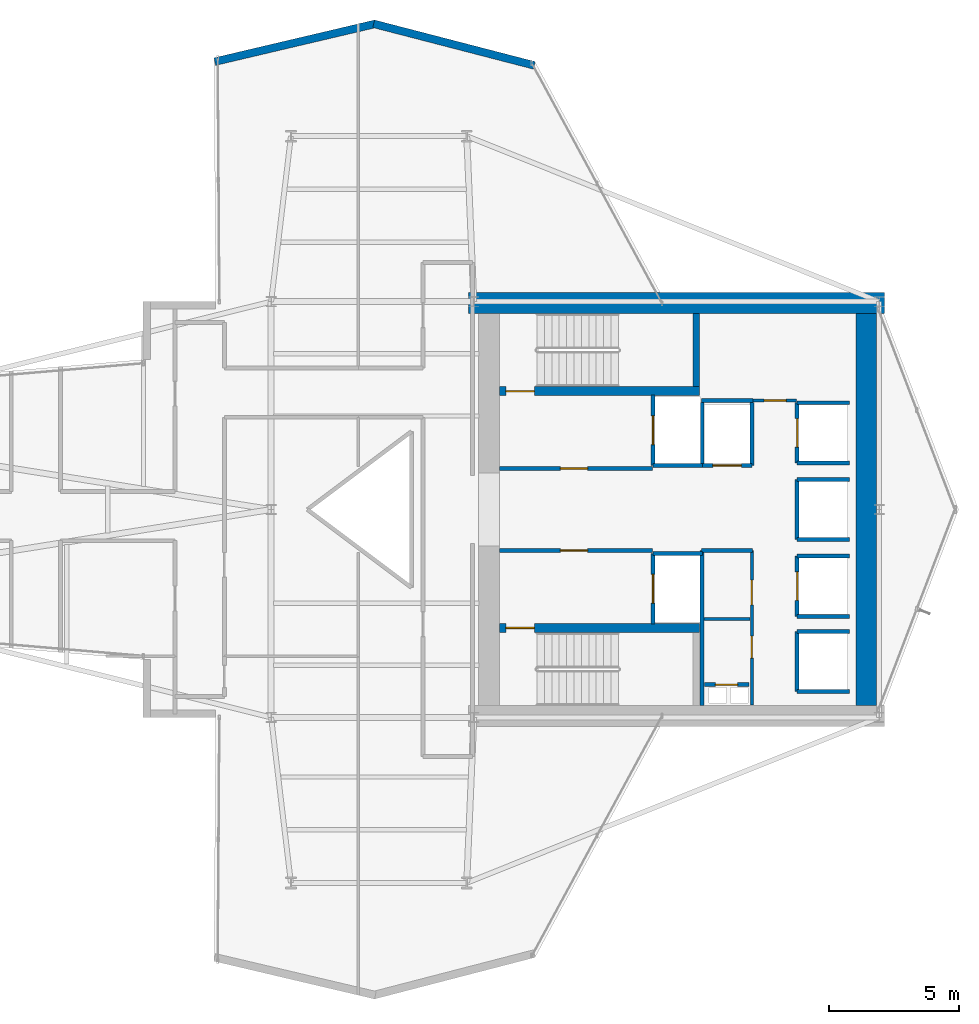
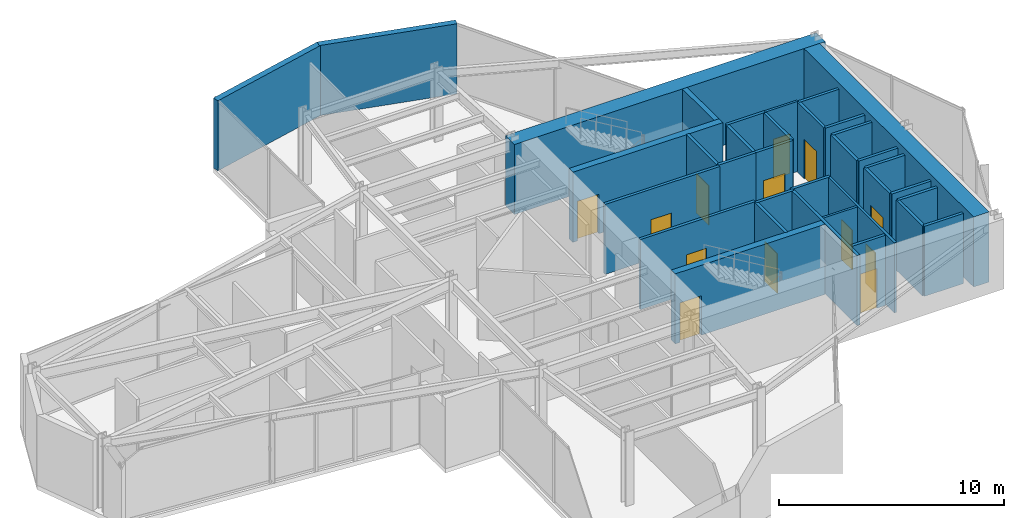
# One storey, part 24 of 26: 35 walls, 13 doors, 13 openings.
"""IFC4 building model written with IfcOpenShell, lengths in metres."""

from ifc_helpers import new_model, si_unit, direction, frame, frame_2d, origin, place, context, subcontext, project, spatial, rectangle, extrude, material, layer, layer_set, type_object, element, fill, save


model = new_model("IFC4")

# Units and contexts
model_context = context("Model", 3, precision=1e-05, world=origin(), true_north=direction((0.0, 1.0)))
body_context = subcontext(model_context, "Body", "Model", "MODEL_VIEW")
ifc_project = project(units=[si_unit("LENGTHUNIT", "METRE"), si_unit("AREAUNIT", "SQUARE_METRE"), si_unit("VOLUMEUNIT", "CUBIC_METRE"), si_unit("PLANEANGLEUNIT", "RADIAN"), si_unit("MASSUNIT", "GRAM", prefix="KILO")], contexts=[model_context])

# Site, building, storey
site_placement = place(None, origin())
site = spatial("IfcSite", under=ifc_project, at=site_placement, CompositionType="ELEMENT")
building_placement = place(site_placement, origin())
building = spatial("IfcBuilding", under=site, at=building_placement, Name="Veymaron Broadcast Tower", CompositionType="ELEMENT")
storey_placement = place(building_placement, frame((0.0, 0.0, 153.300048828125)))
storey = spatial("IfcBuildingStorey", under=building, at=storey_placement, Name="L35", CompositionType="ELEMENT", Elevation=153.300048828125)

# Walls
ifc_material_1 = material(Name="Precast concrete C40/50 with mineral-wool insulation", Category="concrete")
ifc_layer_1 = layer(ifc_material_1, 0.300048828125)
ifc_layer_set_1 = layer_set([ifc_layer_1], Name="Precast concrete C40/50 with mineral-wool insulation")
wall_type_1 = type_object("IfcWallType", Name="WALL-EXT-300", PredefinedType="STANDARD", material=ifc_layer_set_1)
wall_1_placement = place(storey_placement, frame((41.325439453125, 41.091796875, 0.0), z_axis=(0.0, 0.0, 1.0), x_axis=(-0.96801891639, 0.250877216005, 0.0)))
element("IfcWall", 1, at=wall_1_placement, inside=storey, type_object=wall_type_1, Name="L35 notched corner facade pier 6-1", PredefinedType="STANDARD", context=body_context, shape_type="SweptSolid", body=[
    extrude(rectangle(XDim=6.3837890625, YDim=0.300048828125, at=frame_2d((3.19189453125, 0.0))), origin(), (0.0, 0.0, 1.0), 3.81005859375),
])
wall_2_placement = place(storey_placement, frame((35.212890625, 42.6923828125, 0.0), z_axis=(0.0, 0.0, 1.0), x_axis=(-0.973355101444, -0.229302957882, 0.0)))
element("IfcWall", 2, at=wall_2_placement, inside=storey, type_object=wall_type_1, Name="L35 notched corner facade pier 7-1", PredefinedType="STANDARD", context=body_context, shape_type="SweptSolid", body=[
    extrude(rectangle(XDim=6.348876953125, YDim=0.300048828125, at=frame_2d((3.17431640625, 0.0))), origin(), (0.0, 0.0, 1.0), 3.81005859375),
])

# Wall, opening, door
ifc_material_2 = material(Name="Gypsum fireboard and steel stud framing", Category="steel")
ifc_layer_2 = layer(ifc_material_2, 0.14990234375)
ifc_layer_set_2 = layer_set([ifc_layer_2], Name="Gypsum fireboard and steel stud framing")
wall_type_2 = type_object("IfcWallType", Name="WALL-FIRE-150", PredefinedType="PARTITIONING", material=ifc_layer_set_2)
wall_3_placement = place(storey_placement, frame((39.97998046875, 25.574951171875, 0.0), z_axis=(0.0, 0.0, 1.0), x_axis=(1.0, 0.0, 0.0)))
wall_3 = element("IfcWall", 3, at=wall_3_placement, inside=storey, type_object=wall_type_2, Name="L35 partition IW-L35-FFLN-S", PredefinedType="PARTITIONING", context=body_context, shape_type="SweptSolid", body=[
    extrude(rectangle(XDim=5.89990234375, YDim=0.14990234375, at=frame_2d((2.949951171875, 0.0))), origin(), (0.0, 0.0, 1.0), 3.81005859375),
])
opening_1_placement = place(wall_3_placement, frame((2.35009765625, 0.0, 0.0)))
opening_1 = element("IfcOpeningElement", 4, at=opening_1_placement, cuts=wall_3, Name="Opening ID-FL1", PredefinedType="OPENING", context=body_context, shape_type="SweptSolid", body=[
    extrude(rectangle(XDim=1.050048828125, YDim=2.14990234375, at=frame_2d((0.52490234375, 1.074951171875))), frame((0.0, 0.0849609375, 0.0), z_axis=(0.0, -1.0, 0.0), x_axis=(1.0, 0.0, 0.0)), (0.0, 0.0, 1.0), 0.169921875),
])
ifc_material_3 = material(Name="Fire-rated painted hollow steel ASTM A653", Category="steel")
door_type_1 = type_object("IfcDoorType", Name="DOOR-FIRE-1050", OperationType="NOTDEFINED", PredefinedType="DOOR", material=ifc_material_3)
door_1_placement = place(opening_1_placement, origin())
door_1 = element("IfcDoor", 5, at=door_1_placement, inside=storey, type_object=door_type_1, Name="L35 door DR-L35-FFLN", OperationType="SINGLE_SWING_LEFT", OverallHeight=2.14990234375, OverallWidth=1.050048828125, PredefinedType="DOOR", context=body_context, shape_type="SweptSolid", body=[
    extrude(rectangle(XDim=1.050048828125, YDim=2.14990234375, at=frame_2d((0.52490234375, 1.074951171875))), frame((0.0, 0.02490234375, 0.0), z_axis=(0.0, -1.0, 0.0), x_axis=(1.0, 0.0, 0.0)), (0.0, 0.0, 1.0), 0.050048828125),
])
fill(opening_1, door_1)

wall_4_placement = place(storey_placement, frame((39.97998046875, 22.425048828125, 0.0), z_axis=(0.0, 0.0, 1.0), x_axis=(1.0, 0.0, 0.0)))
wall_4 = element("IfcWall", 6, at=wall_4_placement, inside=storey, type_object=wall_type_2, Name="L35 partition IW-L35-FFLS-N", PredefinedType="PARTITIONING", context=body_context, shape_type="SweptSolid", body=[
    extrude(rectangle(XDim=5.89990234375, YDim=0.14990234375, at=frame_2d((2.949951171875, 0.0))), origin(), (0.0, 0.0, 1.0), 3.81005859375),
])
opening_2_placement = place(wall_4_placement, frame((2.35009765625, 0.0, 0.0)))
opening_2 = element("IfcOpeningElement", 7, at=opening_2_placement, cuts=wall_4, Name="Opening ID-FL1", PredefinedType="OPENING", context=body_context, shape_type="SweptSolid", body=[
    extrude(rectangle(XDim=1.050048828125, YDim=2.14990234375, at=frame_2d((0.52490234375, 1.074951171875))), frame((0.0, 0.0849609375, 0.0), z_axis=(0.0, -1.0, 0.0), x_axis=(1.0, 0.0, 0.0)), (0.0, 0.0, 1.0), 0.169921875),
])
door_2_placement = place(opening_2_placement, frame((1.050048828125, 0.0, 0.0), z_axis=(0.0, 0.0, 1.0), x_axis=(-1.0, 0.0, 0.0)))
door_2 = element("IfcDoor", 8, at=door_2_placement, inside=storey, type_object=door_type_1, Name="L35 door DR-L35-FFLS", OperationType="SINGLE_SWING_RIGHT", OverallHeight=2.14990234375, OverallWidth=1.050048828125, PredefinedType="DOOR", context=body_context, shape_type="SweptSolid", body=[
    extrude(rectangle(XDim=1.050048828125, YDim=2.14990234375, at=frame_2d((0.52490234375, 1.074951171875))), frame((0.0, 0.02490234375, 0.0), z_axis=(0.0, -1.0, 0.0), x_axis=(1.0, 0.0, 0.0)), (0.0, 0.0, 1.0), 0.050048828125),
])
fill(opening_2, door_2)

wall_5_placement = place(storey_placement, frame((45.89501953125, 25.68994140625, 0.0), z_axis=(0.0, 0.0, 1.0), x_axis=(0.0, 1.0, 0.0)))
wall_5 = element("IfcWall", 9, at=wall_5_placement, inside=storey, type_object=wall_type_2, Name="L35 partition IW-L35-SHW-FFL-1", PredefinedType="PARTITIONING", context=body_context, shape_type="SweptSolid", body=[
    extrude(rectangle(XDim=2.719970703125, YDim=0.14990234375, at=frame_2d((1.35986328125, 0.0))), origin(), (0.0, 0.0, 1.0), 3.81005859375),
])
opening_3_placement = place(wall_5_placement, frame((0.81005859375, 0.0, 0.0)))
opening_3 = element("IfcOpeningElement", 10, at=opening_3_placement, cuts=wall_5, Name="Opening LD", PredefinedType="OPENING", context=body_context, shape_type="SweptSolid", body=[
    extrude(rectangle(XDim=1.10009765625, YDim=2.14990234375, at=frame_2d((0.550048828125, 1.074951171875))), frame((0.0, 0.0849609375, 0.0), z_axis=(0.0, -1.0, 0.0), x_axis=(1.0, 0.0, 0.0)), (0.0, 0.0, 1.0), 0.169921875),
])
ifc_material_4 = material(Name="Brushed stainless steel AISI 304", Category="steel")
door_type_2 = type_object("IfcDoorType", Name="DOOR-LIFT-1100", OperationType="DOUBLE_DOOR_SLIDING", PredefinedType="DOOR", material=ifc_material_4)
door_3_placement = place(opening_3_placement, frame((1.10009765625, 0.0, 0.0), z_axis=(0.0, 0.0, 1.0), x_axis=(-1.0, 0.0, 0.0)))
door_3 = element("IfcDoor", 11, at=door_3_placement, inside=storey, type_object=door_type_2, Name="L35 door LD-L35-FFL-1", OperationType="DOUBLE_DOOR_SLIDING", OverallHeight=2.14990234375, OverallWidth=1.10009765625, PredefinedType="DOOR", context=body_context, shape_type="SweptSolid", body=[
    extrude(rectangle(XDim=1.10009765625, YDim=2.14990234375, at=frame_2d((0.550048828125, 1.074951171875))), frame((0.0, 0.02490234375, 0.0), z_axis=(0.0, -1.0, 0.0), x_axis=(1.0, 0.0, 0.0)), (0.0, 0.0, 1.0), 0.050048828125),
])
fill(opening_3, door_3)

# Wall
wall_6_placement = place(storey_placement, frame((45.89501953125, 25.68994140625, 0.0), z_axis=(0.0, 0.0, 1.0), x_axis=(1.0, 0.0, 0.0)))
element("IfcWall", 12, at=wall_6_placement, inside=storey, type_object=wall_type_2, Name="L35 partition IW-L35-SHS-FFL-1", PredefinedType="PARTITIONING", context=body_context, shape_type="SweptSolid", body=[
    extrude(rectangle(XDim=1.9150390625, YDim=0.14990234375, at=frame_2d((0.95751953125, 0.0))), origin(), (0.0, 0.0, 1.0), 3.81005859375),
])

# Wall, opening, door
wall_7_placement = place(storey_placement, frame((45.89501953125, 19.590087890625, 0.0), z_axis=(0.0, 0.0, 1.0), x_axis=(0.0, 1.0, 0.0)))
wall_7 = element("IfcWall", 13, at=wall_7_placement, inside=storey, type_object=wall_type_2, Name="L35 partition IW-L35-SHW-FFL-2", PredefinedType="PARTITIONING", context=body_context, shape_type="SweptSolid", body=[
    extrude(rectangle(XDim=2.719970703125, YDim=0.14990234375, at=frame_2d((1.35986328125, 0.0))), origin(), (0.0, 0.0, 1.0), 3.81005859375),
])
opening_4_placement = place(wall_7_placement, frame((0.81005859375, 0.0, 0.0)))
opening_4 = element("IfcOpeningElement", 14, at=opening_4_placement, cuts=wall_7, Name="Opening LD", PredefinedType="OPENING", context=body_context, shape_type="SweptSolid", body=[
    extrude(rectangle(XDim=1.10009765625, YDim=2.14990234375, at=frame_2d((0.550048828125, 1.074951171875))), frame((0.0, 0.0849609375, 0.0), z_axis=(0.0, -1.0, 0.0), x_axis=(1.0, 0.0, 0.0)), (0.0, 0.0, 1.0), 0.169921875),
])
door_4_placement = place(opening_4_placement, frame((1.10009765625, 0.0, 0.0), z_axis=(0.0, 0.0, 1.0), x_axis=(-1.0, 0.0, 0.0)))
door_4 = element("IfcDoor", 15, at=door_4_placement, inside=storey, type_object=door_type_2, Name="L35 door LD-L35-FFL-2", OperationType="DOUBLE_DOOR_SLIDING", OverallHeight=2.14990234375, OverallWidth=1.10009765625, PredefinedType="DOOR", context=body_context, shape_type="SweptSolid", body=[
    extrude(rectangle(XDim=1.10009765625, YDim=2.14990234375, at=frame_2d((0.550048828125, 1.074951171875))), frame((0.0, 0.02490234375, 0.0), z_axis=(0.0, -1.0, 0.0), x_axis=(1.0, 0.0, 0.0)), (0.0, 0.0, 1.0), 0.050048828125),
])
fill(opening_4, door_4)

# Wall
wall_8_placement = place(storey_placement, frame((45.89501953125, 22.31005859375, 0.0), z_axis=(0.0, 0.0, 1.0), x_axis=(1.0, 0.0, 0.0)))
element("IfcWall", 16, at=wall_8_placement, inside=storey, type_object=wall_type_2, Name="L35 partition IW-L35-SHN-FFL-2", PredefinedType="PARTITIONING", context=body_context, shape_type="SweptSolid", body=[
    extrude(rectangle(XDim=1.9150390625, YDim=0.14990234375, at=frame_2d((0.95751953125, 0.0))), origin(), (0.0, 0.0, 1.0), 3.81005859375),
])

# Wall, opening, door
wall_9_placement = place(storey_placement, frame((47.7900390625, 25.695068359375, 0.0), z_axis=(0.0, 0.0, 1.0), x_axis=(1.0, 0.0, 0.0)))
wall_9 = element("IfcWall", 17, at=wall_9_placement, inside=storey, type_object=wall_type_2, Name="L35 partition IW-L35-SHS-SL-1", PredefinedType="PARTITIONING", context=body_context, shape_type="SweptSolid", body=[
    extrude(rectangle(XDim=1.919921875, YDim=0.14990234375, at=frame_2d((0.9599609375, 0.0))), origin(), (0.0, 0.0, 1.0), 3.81005859375),
])
opening_5_placement = place(wall_9_placement, frame((0.409912109375, 0.0, 0.0)))
opening_5 = element("IfcOpeningElement", 18, at=opening_5_placement, cuts=wall_9, Name="Opening LD", PredefinedType="OPENING", context=body_context, shape_type="SweptSolid", body=[
    extrude(rectangle(XDim=1.10009765625, YDim=2.14990234375, at=frame_2d((0.550048828125, 1.074951171875))), frame((0.0, 0.0849609375, 0.0), z_axis=(0.0, -1.0, 0.0), x_axis=(1.0, 0.0, 0.0)), (0.0, 0.0, 1.0), 0.169921875),
])
door_5_placement = place(opening_5_placement, frame((1.10009765625, 0.0, 0.0), z_axis=(0.0, 0.0, 1.0), x_axis=(-1.0, 0.0, 0.0)))
door_5 = element("IfcDoor", 19, at=door_5_placement, inside=storey, type_object=door_type_2, Name="L35 door LD-L35-SL-1", OperationType="DOUBLE_DOOR_SLIDING", OverallHeight=2.14990234375, OverallWidth=1.10009765625, PredefinedType="DOOR", context=body_context, shape_type="SweptSolid", body=[
    extrude(rectangle(XDim=1.10009765625, YDim=2.14990234375, at=frame_2d((0.550048828125, 1.074951171875))), frame((0.0, 0.02490234375, 0.0), z_axis=(0.0, -1.0, 0.0), x_axis=(1.0, 0.0, 0.0)), (0.0, 0.0, 1.0), 0.050048828125),
])
fill(opening_5, door_5)

# Walls
for number, where, z_axis, x_axis, name in (
    (20, (47.7900390625, 25.695068359375, 0.0), (0.0, 0.0, 1.0), (0.0, 1.0, 0.0), "L35 partition IW-L35-SHW-SL-1"),
    (21, (49.7099609375, 25.695068359375, 0.0), (0.0, 0.0, 1.0), (0.0, 1.0, 0.0), "L35 partition IW-L35-SHE-SL-1"),
):
    element("IfcWall", number, at=place(storey_placement, frame(where, z_axis=z_axis, x_axis=x_axis)), inside=storey, type_object=wall_type_2, Name=name, PredefinedType="PARTITIONING", context=body_context, shape_type="SweptSolid", body=[
        extrude(rectangle(XDim=2.4150390625, YDim=0.14990234375, at=frame_2d((1.20751953125, 0.0))), origin(), (0.0, 0.0, 1.0), 3.81005859375),
    ])

# Wall, opening, door
wall_10_placement = place(storey_placement, frame((51.445068359375, 25.7900390625, 0.0), z_axis=(0.0, 0.0, 1.0), x_axis=(0.0, 1.0, 0.0)))
wall_10 = element("IfcWall", 22, at=wall_10_placement, inside=storey, type_object=wall_type_2, Name="L35 partition IW-L35-SHW-PM1", PredefinedType="PARTITIONING", context=body_context, shape_type="SweptSolid", body=[
    extrude(rectangle(XDim=2.320068359375, YDim=0.14990234375, at=frame_2d((1.16015625, 0.0))), origin(), (0.0, 0.0, 1.0), 3.81005859375),
])
opening_6_placement = place(wall_10_placement, frame((0.610107421875, 0.0, 0.0)))
opening_6 = element("IfcOpeningElement", 23, at=opening_6_placement, cuts=wall_10, Name="Opening LD", PredefinedType="OPENING", context=body_context, shape_type="SweptSolid", body=[
    extrude(rectangle(XDim=1.10009765625, YDim=2.14990234375, at=frame_2d((0.550048828125, 1.074951171875))), frame((0.0, 0.0849609375, 0.0), z_axis=(0.0, -1.0, 0.0), x_axis=(1.0, 0.0, 0.0)), (0.0, 0.0, 1.0), 0.169921875),
])
door_6_placement = place(opening_6_placement, frame((1.10009765625, 0.0, 0.0), z_axis=(0.0, 0.0, 1.0), x_axis=(-1.0, 0.0, 0.0)))
door_6 = element("IfcDoor", 24, at=door_6_placement, inside=storey, type_object=door_type_2, Name="L35 door LD-L35-PM1", OperationType="DOUBLE_DOOR_SLIDING", OverallHeight=2.14990234375, OverallWidth=1.10009765625, PredefinedType="DOOR", context=body_context, shape_type="SweptSolid", body=[
    extrude(rectangle(XDim=1.10009765625, YDim=2.14990234375, at=frame_2d((0.550048828125, 1.074951171875))), frame((0.0, 0.02490234375, 0.0), z_axis=(0.0, -1.0, 0.0), x_axis=(1.0, 0.0, 0.0)), (0.0, 0.0, 1.0), 0.050048828125),
])
fill(opening_6, door_6)

# Walls
for number, where, z_axis, x_axis, name in (
    (25, (51.445068359375, 25.7900390625, 0.0), (0.0, 0.0, 1.0), (1.0, 0.0, 0.0), "L35 partition IW-L35-SHS-PM1"),
    (26, (51.445068359375, 28.110107421875, 0.0), (0.0, 0.0, 1.0), (1.0, 0.0, 0.0), "L35 partition IW-L35-SHN-PM1"),
):
    element("IfcWall", number, at=place(storey_placement, frame(where, z_axis=z_axis, x_axis=x_axis)), inside=storey, type_object=wall_type_2, Name=name, PredefinedType="PARTITIONING", context=body_context, shape_type="SweptSolid", body=[
        extrude(rectangle(XDim=2.014892578125, YDim=0.14990234375, at=frame_2d((1.00732421875, 0.0))), origin(), (0.0, 0.0, 1.0), 3.81005859375),
    ])

# Wall, opening, door
wall_11_placement = place(storey_placement, frame((51.445068359375, 19.889892578125, 0.0), z_axis=(0.0, 0.0, 1.0), x_axis=(0.0, 1.0, 0.0)))
wall_11 = element("IfcWall", 27, at=wall_11_placement, inside=storey, type_object=wall_type_2, Name="L35 partition IW-L35-SHW-PM2", PredefinedType="PARTITIONING", context=body_context, shape_type="SweptSolid", body=[
    extrude(rectangle(XDim=2.320068359375, YDim=0.14990234375, at=frame_2d((1.16015625, 0.0))), origin(), (0.0, 0.0, 1.0), 3.81005859375),
])
opening_7_placement = place(wall_11_placement, frame((0.610107421875, 0.0, 0.0)))
opening_7 = element("IfcOpeningElement", 28, at=opening_7_placement, cuts=wall_11, Name="Opening LD", PredefinedType="OPENING", context=body_context, shape_type="SweptSolid", body=[
    extrude(rectangle(XDim=1.10009765625, YDim=2.14990234375, at=frame_2d((0.550048828125, 1.074951171875))), frame((0.0, 0.0849609375, 0.0), z_axis=(0.0, -1.0, 0.0), x_axis=(1.0, 0.0, 0.0)), (0.0, 0.0, 1.0), 0.169921875),
])
door_7_placement = place(opening_7_placement, frame((1.10009765625, 0.0, 0.0), z_axis=(0.0, 0.0, 1.0), x_axis=(-1.0, 0.0, 0.0)))
door_7 = element("IfcDoor", 29, at=door_7_placement, inside=storey, type_object=door_type_2, Name="L35 door LD-L35-PM2", OperationType="DOUBLE_DOOR_SLIDING", OverallHeight=2.14990234375, OverallWidth=1.10009765625, PredefinedType="DOOR", context=body_context, shape_type="SweptSolid", body=[
    extrude(rectangle(XDim=1.10009765625, YDim=2.14990234375, at=frame_2d((0.550048828125, 1.074951171875))), frame((0.0, 0.02490234375, 0.0), z_axis=(0.0, -1.0, 0.0), x_axis=(1.0, 0.0, 0.0)), (0.0, 0.0, 1.0), 0.050048828125),
])
fill(opening_7, door_7)

# Walls
for number, where, z_axis, x_axis, name in (
    (30, (51.445068359375, 19.889892578125, 0.0), (0.0, 0.0, 1.0), (1.0, 0.0, 0.0), "L35 partition IW-L35-SHS-PM2"),
    (31, (51.445068359375, 22.2099609375, 0.0), (0.0, 0.0, 1.0), (1.0, 0.0, 0.0), "L35 partition IW-L35-SHN-PM2"),
):
    element("IfcWall", number, at=place(storey_placement, frame(where, z_axis=z_axis, x_axis=x_axis)), inside=storey, type_object=wall_type_2, Name=name, PredefinedType="PARTITIONING", context=body_context, shape_type="SweptSolid", body=[
        extrude(rectangle(XDim=2.014892578125, YDim=0.14990234375, at=frame_2d((1.00732421875, 0.0))), origin(), (0.0, 0.0, 1.0), 3.81005859375),
    ])
wall_12_placement = place(storey_placement, frame((51.445068359375, 22.840087890625, 0.0), z_axis=(0.0, 0.0, 1.0), x_axis=(0.0, 1.0, 0.0)))
element("IfcWall", 32, at=wall_12_placement, inside=storey, type_object=wall_type_2, Name="L35 partition IW-L35-SHW-PM3", PredefinedType="PARTITIONING", context=body_context, shape_type="SweptSolid", body=[
    extrude(rectangle(XDim=2.31982421875, YDim=0.14990234375, at=frame_2d((1.159912109375, 0.0))), origin(), (0.0, 0.0, 1.0), 3.81005859375),
])
for number, where, z_axis, x_axis, name in (
    (33, (51.445068359375, 22.840087890625, 0.0), (0.0, 0.0, 1.0), (1.0, 0.0, 0.0), "L35 partition IW-L35-SHS-PM3"),
    (34, (51.445068359375, 25.159912109375, 0.0), (0.0, 0.0, 1.0), (1.0, 0.0, 0.0), "L35 partition IW-L35-SHN-PM3"),
):
    element("IfcWall", number, at=place(storey_placement, frame(where, z_axis=z_axis, x_axis=x_axis)), inside=storey, type_object=wall_type_2, Name=name, PredefinedType="PARTITIONING", context=body_context, shape_type="SweptSolid", body=[
        extrude(rectangle(XDim=2.014892578125, YDim=0.14990234375, at=frame_2d((1.00732421875, 0.0))), origin(), (0.0, 0.0, 1.0), 3.81005859375),
    ])
wall_13_placement = place(storey_placement, frame((51.445068359375, 16.989990234375, 0.0), z_axis=(0.0, 0.0, 1.0), x_axis=(0.0, 1.0, 0.0)))
element("IfcWall", 35, at=wall_13_placement, inside=storey, type_object=wall_type_2, Name="L35 partition IW-L35-SHW-PH1", PredefinedType="PARTITIONING", context=body_context, shape_type="SweptSolid", body=[
    extrude(rectangle(XDim=2.320068359375, YDim=0.14990234375, at=frame_2d((1.16015625, 0.0))), origin(), (0.0, 0.0, 1.0), 3.81005859375),
])
for number, where, z_axis, x_axis, name in (
    (36, (51.445068359375, 16.989990234375, 0.0), (0.0, 0.0, 1.0), (1.0, 0.0, 0.0), "L35 partition IW-L35-SHS-PH1"),
    (37, (51.445068359375, 19.31005859375, 0.0), (0.0, 0.0, 1.0), (1.0, 0.0, 0.0), "L35 partition IW-L35-SHN-PH1"),
):
    element("IfcWall", number, at=place(storey_placement, frame(where, z_axis=z_axis, x_axis=x_axis)), inside=storey, type_object=wall_type_2, Name=name, PredefinedType="PARTITIONING", context=body_context, shape_type="SweptSolid", body=[
        extrude(rectangle(XDim=2.014892578125, YDim=0.14990234375, at=frame_2d((1.00732421875, 0.0))), origin(), (0.0, 0.0, 1.0), 3.81005859375),
    ])

# Wall, opening, door
wall_14_placement = place(storey_placement, frame((47.8798828125, 17.260009765625, 0.0), z_axis=(0.0, 0.0, 1.0), x_axis=(1.0, 0.0, 0.0)))
wall_14 = element("IfcWall", 38, at=wall_14_placement, inside=storey, type_object=wall_type_2, Name="L35 partition IW-L35-RIS-N", PredefinedType="PARTITIONING", context=body_context, shape_type="SweptSolid", body=[
    extrude(rectangle(XDim=1.72021484375, YDim=0.14990234375, at=frame_2d((0.860107421875, 0.0))), origin(), (0.0, 0.0, 1.0), 3.81005859375),
])
opening_8_placement = place(wall_14_placement, frame((0.419921875, 0.0, 0.0)))
opening_8 = element("IfcOpeningElement", 39, at=opening_8_placement, cuts=wall_14, Name="Opening ID-RS1", PredefinedType="OPENING", context=body_context, shape_type="SweptSolid", body=[
    extrude(rectangle(XDim=0.85009765625, YDim=2.14990234375, at=frame_2d((0.425048828125, 1.074951171875))), frame((0.0, 0.0849609375, 0.0), z_axis=(0.0, -1.0, 0.0), x_axis=(1.0, 0.0, 0.0)), (0.0, 0.0, 1.0), 0.169921875),
])
ifc_material_5 = material(Name="Fire-rated powder-coated steel riser leaf", Category="steel")
door_type_3 = type_object("IfcDoorType", Name="DOOR-RIS-850", OperationType="NOTDEFINED", PredefinedType="TRAPDOOR", material=ifc_material_5)
door_8_placement = place(opening_8_placement, origin())
door_8 = element("IfcDoor", 40, at=door_8_placement, inside=storey, type_object=door_type_3, Name="L35 door DR-L35-RIS", OperationType="SINGLE_SWING_LEFT", OverallHeight=2.14990234375, OverallWidth=0.85009765625, PredefinedType="TRAPDOOR", context=body_context, shape_type="SweptSolid", body=[
    extrude(rectangle(XDim=0.85009765625, YDim=2.14990234375, at=frame_2d((0.425048828125, 1.074951171875))), frame((0.0, 0.02490234375, 0.0), z_axis=(0.0, -1.0, 0.0), x_axis=(1.0, 0.0, 0.0)), (0.0, 0.0, 1.0), 0.050048828125),
])
fill(opening_8, door_8)

# Walls
wall_15_placement = place(storey_placement, frame((47.760009765625, 22.425048828125, 0.0), z_axis=(0.0, 0.0, 1.0), x_axis=(1.0, 0.0, 0.0)))
element("IfcWall", 41, at=wall_15_placement, inside=storey, type_object=wall_type_2, Name="L35 partition IW-L35-SM-N", PredefinedType="PARTITIONING", context=body_context, shape_type="SweptSolid", body=[
    extrude(rectangle(XDim=1.9599609375, YDim=0.14990234375, at=frame_2d((0.97998046875, 0.0))), origin(), (0.0, 0.0, 1.0), 3.81005859375),
])
wall_16_placement = place(storey_placement, frame((47.780029296875, 16.449951171875, 0.0), z_axis=(0.0, 0.0, 1.0), x_axis=(0.0, 1.0, 0.0)))
element("IfcWall", 42, at=wall_16_placement, inside=storey, type_object=wall_type_2, Name="L35 partition IW-L35-SM-W", PredefinedType="PARTITIONING", context=body_context, shape_type="SweptSolid", body=[
    extrude(rectangle(XDim=5.97509765625, YDim=0.14990234375, at=frame_2d((2.987548828125, 0.0))), origin(), (0.0, 0.0, 1.0), 3.81005859375),
])
wall_17_placement = place(storey_placement, frame((47.760009765625, 28.199951171875, 0.0), z_axis=(0.0, 0.0, 1.0), x_axis=(1.0, 0.0, 0.0)))
element("IfcWall", 43, at=wall_17_placement, inside=storey, type_object=wall_type_2, Name="L35 partition IW-L35-F1-SW", PredefinedType="PARTITIONING", context=body_context, shape_type="SweptSolid", body=[
    extrude(rectangle(XDim=1.989990234375, YDim=0.14990234375, at=frame_2d((0.9951171875, 0.0))), origin(), (0.0, 0.0, 1.0), 3.81005859375),
])
ifc_material_6 = material(Name="Acoustic gypsum board and galvanized stud", Category="gypsum")
ifc_layer_3 = layer(ifc_material_6, 0.1201171875)
ifc_layer_set_3 = layer_set([ifc_layer_3], Name="Acoustic gypsum board and galvanized stud")
wall_type_3 = type_object("IfcWallType", Name="WALL-PART-120", PredefinedType="PARTITIONING", material=ifc_layer_set_3)
wall_18_placement = place(storey_placement, frame((47.860107421875, 19.780029296875, 0.0), z_axis=(0.0, 0.0, 1.0), x_axis=(1.0, 0.0, 0.0)))
element("IfcWall", 44, at=wall_18_placement, inside=storey, type_object=wall_type_3, Name="L35 partition IW-L35-SM-DIV", PredefinedType="PARTITIONING", context=body_context, shape_type="SweptSolid", body=[
    extrude(rectangle(XDim=1.760009765625, YDim=0.1201171875, at=frame_2d((0.8798828125, 0.0))), origin(), (0.0, 0.0, 1.0), 3.81005859375),
])

# Wall, openings, doors
wall_19_placement = place(storey_placement, frame((49.699951171875, 16.47998046875, 0.0), z_axis=(0.0, 0.0, 1.0), x_axis=(0.0, 1.0, 0.0)))
wall_19 = element("IfcWall", 45, at=wall_19_placement, inside=storey, type_object=wall_type_3, Name="L35 partition IW-L35-SM-E", PredefinedType="PARTITIONING", context=body_context, shape_type="SweptSolid", body=[
    extrude(rectangle(XDim=5.945068359375, YDim=0.1201171875, at=frame_2d((2.97265625, 0.0))), origin(), (0.0, 0.0, 1.0), 3.81005859375),
])
opening_9_placement = place(wall_19_placement, frame((1.800048828125, 0.0, 0.0)))
opening_9 = element("IfcOpeningElement", 46, at=opening_9_placement, cuts=wall_19, Name="Opening ID-WC1", PredefinedType="OPENING", context=body_context, shape_type="SweptSolid", body=[
    extrude(rectangle(XDim=0.85009765625, YDim=2.14990234375, at=frame_2d((0.425048828125, 1.074951171875))), frame((0.0, 0.070068359375, 0.0), z_axis=(0.0, -1.0, 0.0), x_axis=(1.0, 0.0, 0.0)), (0.0, 0.0, 1.0), 0.14013671875),
])
opening_10_placement = place(wall_19_placement, frame((3.85009765625, 0.0, 0.0)))
opening_10 = element("IfcOpeningElement", 47, at=opening_10_placement, cuts=wall_19, Name="Opening ID-RM1", PredefinedType="OPENING", context=body_context, shape_type="SweptSolid", body=[
    extrude(rectangle(XDim=0.949951171875, YDim=2.14990234375, at=frame_2d((0.47509765625, 1.074951171875))), frame((0.0, 0.070068359375, 0.0), z_axis=(0.0, -1.0, 0.0), x_axis=(1.0, 0.0, 0.0)), (0.0, 0.0, 1.0), 0.14013671875),
])
ifc_material_7 = material(Name="Moisture-resistant high-pressure laminate timber", Category="wood")
door_type_4 = type_object("IfcDoorType", Name="DOOR-INT-850", OperationType="NOTDEFINED", PredefinedType="DOOR", material=ifc_material_7)
door_9_placement = place(opening_9_placement, frame((0.85009765625, 0.0, 0.0), z_axis=(0.0, 0.0, 1.0), x_axis=(-1.0, 0.0, 0.0)))
door_9 = element("IfcDoor", 48, at=door_9_placement, inside=storey, type_object=door_type_4, Name="L35 door DR-L35-SWC", OperationType="SINGLE_SWING_LEFT", OverallHeight=2.14990234375, OverallWidth=0.85009765625, PredefinedType="DOOR", context=body_context, shape_type="SweptSolid", body=[
    extrude(rectangle(XDim=0.85009765625, YDim=2.14990234375, at=frame_2d((0.425048828125, 1.074951171875))), frame((0.0, 0.02490234375, 0.0), z_axis=(0.0, -1.0, 0.0), x_axis=(1.0, 0.0, 0.0)), (0.0, 0.0, 1.0), 0.050048828125),
])
fill(opening_9, door_9)
ifc_material_8 = material(Name="Acoustic solid-core European oak veneer timber", Category="wood")
door_type_5 = type_object("IfcDoorType", Name="DOOR-INT-950", OperationType="NOTDEFINED", PredefinedType="DOOR", material=ifc_material_8)
door_10_placement = place(opening_10_placement, frame((0.949951171875, 0.0, 0.0), z_axis=(0.0, 0.0, 1.0), x_axis=(-1.0, 0.0, 0.0)))
door_10 = element("IfcDoor", 49, at=door_10_placement, inside=storey, type_object=door_type_5, Name="L35 door DR-L35-AWC", OperationType="SINGLE_SWING_RIGHT", OverallHeight=2.14990234375, OverallWidth=0.949951171875, PredefinedType="DOOR", context=body_context, shape_type="SweptSolid", body=[
    extrude(rectangle(XDim=0.949951171875, YDim=2.14990234375, at=frame_2d((0.47509765625, 1.074951171875))), frame((0.0, 0.02490234375, 0.0), z_axis=(0.0, -1.0, 0.0), x_axis=(1.0, 0.0, 0.0)), (0.0, 0.0, 1.0), 0.050048828125),
])
fill(opening_10, door_10)

# Wall, opening, door
wall_20_placement = place(storey_placement, frame((49.75, 28.199951171875, 0.0), z_axis=(0.0, 0.0, 1.0), x_axis=(1.0, 0.0, 0.0)))
wall_20 = element("IfcWall", 50, at=wall_20_placement, inside=storey, type_object=wall_type_3, Name="L35 partition IW-L35-F1-S", PredefinedType="PARTITIONING", context=body_context, shape_type="SweptSolid", body=[
    extrude(rectangle(XDim=1.669921875, YDim=0.1201171875, at=frame_2d((0.8349609375, 0.0))), origin(), (0.0, 0.0, 1.0), 3.81005859375),
])
opening_11_placement = place(wall_20_placement, frame((0.419921875, 0.0, 0.0)))
opening_11 = element("IfcOpeningElement", 51, at=opening_11_placement, cuts=wall_20, Name="Opening ID-WC1", PredefinedType="OPENING", context=body_context, shape_type="SweptSolid", body=[
    extrude(rectangle(XDim=0.85009765625, YDim=2.14990234375, at=frame_2d((0.425048828125, 1.074951171875))), frame((0.0, 0.070068359375, 0.0), z_axis=(0.0, -1.0, 0.0), x_axis=(1.0, 0.0, 0.0)), (0.0, 0.0, 1.0), 0.14013671875),
])
door_11_placement = place(opening_11_placement, origin())
door_11 = element("IfcDoor", 52, at=door_11_placement, inside=storey, type_object=door_type_4, Name="L35 door DR-L35-F1A", OperationType="SINGLE_SWING_LEFT", OverallHeight=2.14990234375, OverallWidth=0.85009765625, PredefinedType="DOOR", context=body_context, shape_type="SweptSolid", body=[
    extrude(rectangle(XDim=0.85009765625, YDim=2.14990234375, at=frame_2d((0.425048828125, 1.074951171875))), frame((0.0, 0.02490234375, 0.0), z_axis=(0.0, -1.0, 0.0), x_axis=(1.0, 0.0, 0.0)), (0.0, 0.0, 1.0), 0.050048828125),
])
fill(opening_11, door_11)

# Wall
ifc_material_9 = material(Name="Concrete C50/60", Category="concrete")
ifc_layer_4 = layer(ifc_material_9, 0.25)
ifc_layer_set_4 = layer_set([ifc_layer_4], Name="Concrete C50/60")
wall_type_4 = type_object("IfcWallType", Name="WALL-SHEAR-250", PredefinedType="SHEAR", material=ifc_layer_set_4)
wall_21_placement = place(storey_placement, frame((47.56494140625, 28.72998046875, 0.0), z_axis=(0.0, 0.0, 1.0), x_axis=(0.0, 1.0, 0.0)))
element("IfcWall", 53, at=wall_21_placement, inside=storey, type_object=wall_type_4, Name="L35 Core Wall north stair east shear", PredefinedType="SHEAR", context=body_context, shape_type="SweptSolid", body=[
    extrude(rectangle(XDim=2.820068359375, YDim=0.25, at=frame_2d((1.41015625, 0.0))), origin(), (0.0, 0.0, 1.0), 3.81005859375),
])

# Wall, opening, door
ifc_layer_5 = layer(ifc_material_9, 0.35009765625)
ifc_layer_set_5 = layer_set([ifc_layer_5], Name="Concrete C50/60")
wall_type_5 = type_object("IfcWallType", Name="WALL-SHEAR-350", PredefinedType="SHEAR", material=ifc_layer_set_5)
wall_22_placement = place(storey_placement, frame((39.97998046875, 28.554931640625, 0.0), z_axis=(0.0, 0.0, 1.0), x_axis=(1.0, 0.0, 0.0)))
wall_22 = element("IfcWall", 54, at=wall_22_placement, inside=storey, type_object=wall_type_5, Name="L35 Core Wall north stair spine", PredefinedType="SHEAR", context=body_context, shape_type="SweptSolid", body=[
    extrude(rectangle(XDim=7.7099609375, YDim=0.35009765625, at=frame_2d((3.85498046875, 0.0))), origin(), (0.0, 0.0, 1.0), 3.81005859375),
])
opening_12_placement = place(wall_22_placement, frame((0.25, 0.0, 0.0)))
opening_12 = element("IfcOpeningElement", 55, at=opening_12_placement, cuts=wall_22, Name="Opening ID-ST1", PredefinedType="OPENING", context=body_context, shape_type="SweptSolid", body=[
    extrude(rectangle(XDim=1.10009765625, YDim=2.14990234375, at=frame_2d((0.550048828125, 1.074951171875))), frame((0.0, 0.18505859375, 0.0), z_axis=(0.0, -1.0, 0.0), x_axis=(1.0, 0.0, 0.0)), (0.0, 0.0, 1.0), 0.3701171875),
])
door_type_6 = type_object("IfcDoorType", Name="DOOR-STAIR-1100", OperationType="NOTDEFINED", PredefinedType="DOOR", material=ifc_material_3)
door_12_placement = place(opening_12_placement, origin())
door_12 = element("IfcDoor", 56, at=door_12_placement, inside=storey, type_object=door_type_6, Name="L35 exit stair ST1 fire door", OperationType="SINGLE_SWING_RIGHT", OverallHeight=2.14990234375, OverallWidth=1.10009765625, PredefinedType="DOOR", context=body_context, shape_type="SweptSolid", body=[
    extrude(rectangle(XDim=1.10009765625, YDim=2.14990234375, at=frame_2d((0.550048828125, 1.074951171875))), frame((0.0, 0.02490234375, 0.0), z_axis=(0.0, -1.0, 0.0), x_axis=(1.0, 0.0, 0.0)), (0.0, 0.0, 1.0), 0.050048828125),
])
fill(opening_12, door_12)

wall_23_placement = place(storey_placement, frame((39.97998046875, 19.445068359375, 0.0), z_axis=(0.0, 0.0, 1.0), x_axis=(1.0, 0.0, 0.0)))
wall_23 = element("IfcWall", 57, at=wall_23_placement, inside=storey, type_object=wall_type_5, Name="L35 Core Wall south stair spine", PredefinedType="SHEAR", context=body_context, shape_type="SweptSolid", body=[
    extrude(rectangle(XDim=7.7099609375, YDim=0.35009765625, at=frame_2d((3.85498046875, 0.0))), origin(), (0.0, 0.0, 1.0), 3.81005859375),
])
opening_13_placement = place(wall_23_placement, frame((0.25, 0.0, 0.0)))
opening_13 = element("IfcOpeningElement", 58, at=opening_13_placement, cuts=wall_23, Name="Opening ID-ST1", PredefinedType="OPENING", context=body_context, shape_type="SweptSolid", body=[
    extrude(rectangle(XDim=1.10009765625, YDim=2.14990234375, at=frame_2d((0.550048828125, 1.074951171875))), frame((0.0, 0.18505859375, 0.0), z_axis=(0.0, -1.0, 0.0), x_axis=(1.0, 0.0, 0.0)), (0.0, 0.0, 1.0), 0.3701171875),
])
door_13_placement = place(opening_13_placement, frame((1.10009765625, 0.0, 0.0), z_axis=(0.0, 0.0, 1.0), x_axis=(-1.0, 0.0, 0.0)))
door_13 = element("IfcDoor", 59, at=door_13_placement, inside=storey, type_object=door_type_6, Name="L35 exit stair ST2 fire door", OperationType="SINGLE_SWING_LEFT", OverallHeight=2.14990234375, OverallWidth=1.10009765625, PredefinedType="DOOR", context=body_context, shape_type="SweptSolid", body=[
    extrude(rectangle(XDim=1.10009765625, YDim=2.14990234375, at=frame_2d((0.550048828125, 1.074951171875))), frame((0.0, 0.02490234375, 0.0), z_axis=(0.0, -1.0, 0.0), x_axis=(1.0, 0.0, 0.0)), (0.0, 0.0, 1.0), 0.050048828125),
])
fill(opening_13, door_13)

# Walls
ifc_material_10 = material(Name="Concrete C60/75", Category="concrete")
ifc_layer_6 = layer(ifc_material_10, 0.800048828125)
ifc_layer_set_6 = layer_set([ifc_layer_6], Name="Concrete C60/75")
wall_type_6 = type_object("IfcWallType", Name="WALL-SHEAR-800", PredefinedType="SHEAR", material=ifc_layer_set_6)
wall_24_placement = place(storey_placement, frame((38.800048828125, 31.949951171875, 0.0), z_axis=(0.0, 0.0, 1.0), x_axis=(1.0, 0.0, 0.0)))
element("IfcWall", 60, at=wall_24_placement, inside=storey, type_object=wall_type_6, Name="L35 Core Wall north shear", PredefinedType="SHEAR", context=body_context, shape_type="SweptSolid", body=[
    extrude(rectangle(XDim=16.0, YDim=0.800048828125, at=frame_2d((8.0, 0.0))), origin(), (0.0, 0.0, 1.0), 3.81005859375),
])
wall_25_placement = place(storey_placement, frame((54.10009765625, 16.449951171875, 0.0), z_axis=(0.0, 0.0, 1.0), x_axis=(0.0, 1.0, 0.0)))
element("IfcWall", 61, at=wall_25_placement, inside=storey, type_object=wall_type_6, Name="L35 Core Wall east shear", PredefinedType="SHEAR", context=body_context, shape_type="SweptSolid", body=[
    extrude(rectangle(XDim=15.10009765625, YDim=0.800048828125, at=frame_2d((7.550048828125, 0.0))), origin(), (0.0, 0.0, 1.0), 3.81005859375),
])

save(model, "model.ifc")
